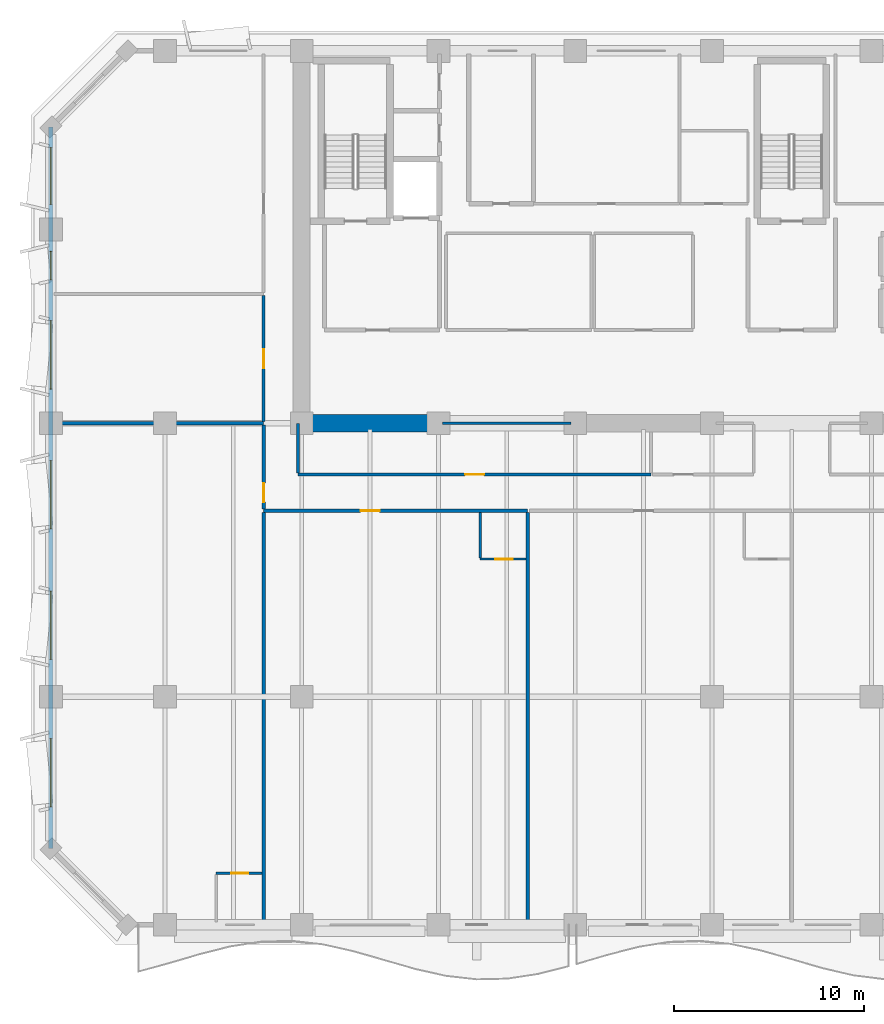
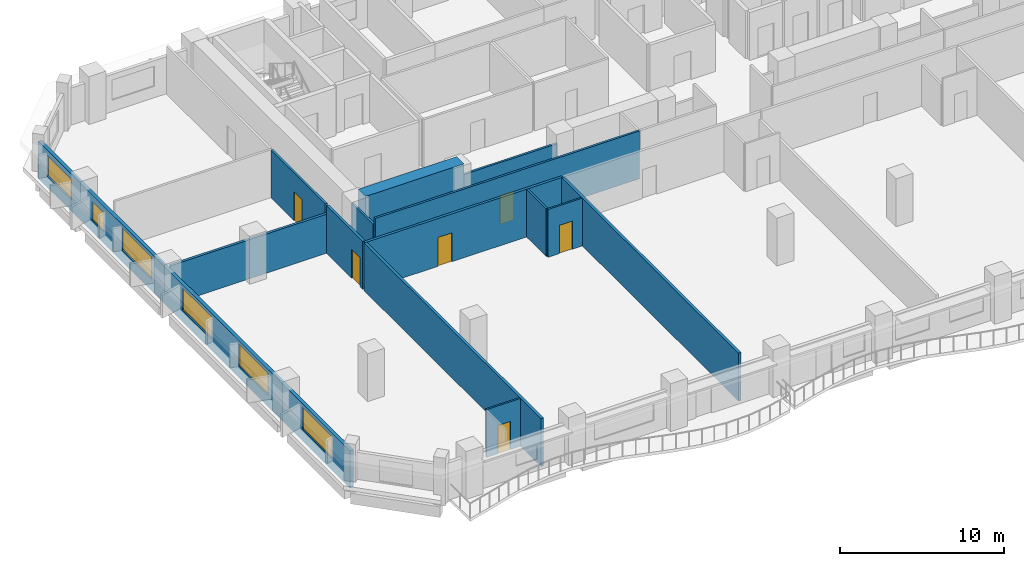
# One storey, part 4 of 14: 14 walls, 6 doors, 6 windows, 12 openings.
"""IFC4 building model written with IfcOpenShell, lengths in metres."""

from ifc_helpers import new_model, si_unit, direction, frame, frame_2d, origin, place, context, subcontext, project, spatial, rectangle, extrude, material, layer, layer_set, type_object, element, fill, save


model = new_model("IFC4")

# Units and contexts
model_context = context("Model", 3, precision=1e-05, world=origin(), true_north=direction((0.0, 1.0)))
body_context = subcontext(model_context, "Body", "Model", "MODEL_VIEW")
ifc_project = project(units=[si_unit("LENGTHUNIT", "METRE"), si_unit("AREAUNIT", "SQUARE_METRE"), si_unit("VOLUMEUNIT", "CUBIC_METRE"), si_unit("PLANEANGLEUNIT", "RADIAN"), si_unit("MASSUNIT", "GRAM", prefix="KILO")], contexts=[model_context])

# Site, building, storey
site_placement = place(None, origin())
site = spatial("IfcSite", under=ifc_project, at=site_placement, CompositionType="ELEMENT")
building_placement = place(site_placement, origin())
building = spatial("IfcBuilding", under=site, at=building_placement, Name="Kaelvorn Grand Hotel", CompositionType="ELEMENT")
storey_placement = place(building_placement, frame((0.0, 0.0, 216.75)))
storey = spatial("IfcBuildingStorey", under=building, at=storey_placement, Name="L53", CompositionType="ELEMENT", Elevation=216.75)

# Wall
ifc_material_1 = material(Name="Concrete C60/75", Category="concrete")
ifc_layer_1 = layer(ifc_material_1, 0.89990234375)
ifc_layer_set_1 = layer_set([ifc_layer_1], Name="Concrete C60/75")
wall_type_1 = type_object("IfcWallType", Name="WL-CORE-900-C60", PredefinedType="SHEAR", material=ifc_layer_set_1)
wall_1_placement = place(storey_placement, frame((16.655029296875, 29.39990234375, 0.0), z_axis=(0.0, 0.0, 1.0), x_axis=(1.0, 0.0, 0.0)))
element("IfcWall", 1, at=wall_1_placement, inside=storey, type_object=wall_type_1, Name="L53 Rear-Core Coupled Shear Pier S1", PredefinedType="SHEAR", context=body_context, shape_type="SweptSolid", body=[
    extrude(rectangle(XDim=6.945068359375, YDim=0.89990234375, at=frame_2d((3.47265625, 0.0))), origin(), (0.0, 0.0, 1.0), 3.56005859375),
])

# Wall, openings, windows
ifc_material_2 = material(Name="Concrete C40/50", Category="concrete")
ifc_layer_2 = layer(ifc_material_2, 0.239990234375)
ifc_layer_set_2 = layer_set([ifc_layer_2], Name="Concrete C40/50")
wall_type_2 = type_object("IfcWallType", Name="WL-EXT-240-C40", PredefinedType="SOLIDWALL", material=ifc_layer_set_2)
wall_2_placement = place(storey_placement, frame((3.0, 45.0, 0.0), z_axis=(0.0, 0.0, 1.0), x_axis=(0.0, -1.0, 0.0)))
wall_2 = element("IfcWall", 2, at=wall_2_placement, inside=storey, type_object=wall_type_2, Name="L53 Exterior Architectural Concrete Wall 07", PredefinedType="SOLIDWALL", context=body_context, shape_type="SweptSolid", body=[
    extrude(rectangle(XDim=38.0, YDim=0.239990234375, at=frame_2d((19.0, 0.0))), origin(), (0.0, 0.0, 1.0), 2.760009765625),
])
opening_1_placement = place(wall_2_placement, frame((32.199951171875, 0.0, 0.85009765625)))
opening_1 = element("IfcOpeningElement", 3, at=opening_1_placement, cuts=wall_2, Name="Opening W3", PredefinedType="OPENING", context=body_context, shape_type="SweptSolid", body=[
    extrude(rectangle(XDim=3.60009765625, YDim=1.64990234375, at=frame_2d((1.800048828125, 0.824951171875))), frame((0.0, 0.1298828125, 0.0), z_axis=(0.0, -1.0, 0.0), x_axis=(1.0, 0.0, 0.0)), (0.0, 0.0, 1.0), 0.260009765625),
])
opening_2_placement = place(wall_2_placement, frame((24.43505859375, 0.0, 0.85009765625)))
opening_2 = element("IfcOpeningElement", 4, at=opening_2_placement, cuts=wall_2, Name="Opening W3", PredefinedType="OPENING", context=body_context, shape_type="SweptSolid", body=[
    extrude(rectangle(XDim=3.60009765625, YDim=1.64990234375, at=frame_2d((1.800048828125, 0.824951171875))), frame((0.0, 0.1298828125, 0.0), z_axis=(0.0, -1.0, 0.0), x_axis=(1.0, 0.0, 0.0)), (0.0, 0.0, 1.0), 0.260009765625),
])
opening_3_placement = place(wall_2_placement, frame((17.56494140625, 0.0, 0.85009765625)))
opening_3 = element("IfcOpeningElement", 5, at=opening_3_placement, cuts=wall_2, Name="Opening W3", PredefinedType="OPENING", context=body_context, shape_type="SweptSolid", body=[
    extrude(rectangle(XDim=3.60009765625, YDim=1.64990234375, at=frame_2d((1.800048828125, 0.824951171875))), frame((0.0, 0.1298828125, 0.0), z_axis=(0.0, -1.0, 0.0), x_axis=(1.0, 0.0, 0.0)), (0.0, 0.0, 1.0), 0.260009765625),
])
opening_4_placement = place(wall_2_placement, frame((10.199951171875, 0.0, 0.85009765625)))
opening_4 = element("IfcOpeningElement", 6, at=opening_4_placement, cuts=wall_2, Name="Opening W3", PredefinedType="OPENING", context=body_context, shape_type="SweptSolid", body=[
    extrude(rectangle(XDim=3.60009765625, YDim=1.64990234375, at=frame_2d((1.800048828125, 0.824951171875))), frame((0.0, 0.1298828125, 0.0), z_axis=(0.0, -1.0, 0.0), x_axis=(1.0, 0.0, 0.0)), (0.0, 0.0, 1.0), 0.260009765625),
])
opening_5_placement = place(wall_2_placement, frame((6.550048828125, 0.0, 0.85009765625)))
opening_5 = element("IfcOpeningElement", 7, at=opening_5_placement, cuts=wall_2, Name="Opening W10", PredefinedType="OPENING", context=body_context, shape_type="SweptSolid", body=[
    extrude(rectangle(XDim=1.5, YDim=1.39990234375, at=frame_2d((0.75, 0.699951171875))), frame((0.0, 0.1298828125, 0.0), z_axis=(0.0, -1.0, 0.0), x_axis=(1.0, 0.0, 0.0)), (0.0, 0.0, 1.0), 0.260009765625),
])
opening_6_placement = place(wall_2_placement, frame((1.0849609375, 0.0, 0.85009765625)))
opening_6 = element("IfcOpeningElement", 8, at=opening_6_placement, cuts=wall_2, Name="Opening W5", PredefinedType="OPENING", context=body_context, shape_type="SweptSolid", body=[
    extrude(rectangle(XDim=3.0, YDim=1.5, at=frame_2d((1.5, 0.75))), frame((0.0, 0.1298828125, 0.0), z_axis=(0.0, -1.0, 0.0), x_axis=(1.0, 0.0, 0.0)), (0.0, 0.0, 1.0), 0.260009765625),
])
ifc_material_3 = material(Name="Laminated Low-E Glass", Category="glass")
window_type_1 = type_object("IfcWindowType", Name="WIN-COR-1500x1400", PartitioningType="SINGLE_PANEL", PredefinedType="WINDOW", material=ifc_material_3)
window_1_placement = place(opening_5_placement, origin())
window_1 = element("IfcWindow", 9, at=window_1_placement, inside=storey, type_object=window_type_1, Name="L53 W Wing Tilted-Frame Ribbon Window W05", OverallHeight=1.39990234375, OverallWidth=1.5, PartitioningType="SINGLE_PANEL", PredefinedType="WINDOW", context=body_context, shape_type="SweptSolid", body=[
    extrude(rectangle(XDim=1.5, YDim=1.39990234375, at=frame_2d((0.75, 0.699951171875))), frame((0.0, 0.030029296875, 0.0), z_axis=(0.0, -1.0, 0.0), x_axis=(1.0, 0.0, 0.0)), (0.0, 0.0, 1.0), 0.06005859375),
])
fill(opening_5, window_1)
window_type_2 = type_object("IfcWindowType", Name="WIN-NTH-3000x1500", PartitioningType="SINGLE_PANEL", PredefinedType="WINDOW", material=ifc_material_3)
window_2_placement = place(opening_6_placement, origin())
window_2 = element("IfcWindow", 10, at=window_2_placement, inside=storey, type_object=window_type_2, Name="L53 W Wing Tilted-Frame Ribbon Window W06", OverallHeight=1.5, OverallWidth=3.0, PartitioningType="SINGLE_PANEL", PredefinedType="WINDOW", context=body_context, shape_type="SweptSolid", body=[
    extrude(rectangle(XDim=3.0, YDim=1.5, at=frame_2d((1.5, 0.75))), frame((0.0, 0.030029296875, 0.0), z_axis=(0.0, -1.0, 0.0), x_axis=(1.0, 0.0, 0.0)), (0.0, 0.0, 1.0), 0.06005859375),
])
fill(opening_6, window_2)
window_type_3 = type_object("IfcWindowType", Name="WIN-RIB-3600x1750", PartitioningType="SINGLE_PANEL", PredefinedType="WINDOW", material=ifc_material_3)
window_3_placement = place(opening_1_placement, origin())
window_3 = element("IfcWindow", 11, at=window_3_placement, inside=storey, type_object=window_type_3, Name="L53 W Wing Tilted-Frame Ribbon Window W01", OverallHeight=1.64990234375, OverallWidth=3.60009765625, PartitioningType="SINGLE_PANEL", PredefinedType="WINDOW", context=body_context, shape_type="SweptSolid", body=[
    extrude(rectangle(XDim=3.60009765625, YDim=1.64990234375, at=frame_2d((1.800048828125, 0.824951171875))), frame((0.0, 0.030029296875, 0.0), z_axis=(0.0, -1.0, 0.0), x_axis=(1.0, 0.0, 0.0)), (0.0, 0.0, 1.0), 0.06005859375),
])
fill(opening_1, window_3)
window_4_placement = place(opening_2_placement, origin())
window_4 = element("IfcWindow", 12, at=window_4_placement, inside=storey, type_object=window_type_3, Name="L53 W Wing Tilted-Frame Ribbon Window W02", OverallHeight=1.64990234375, OverallWidth=3.60009765625, PartitioningType="SINGLE_PANEL", PredefinedType="WINDOW", context=body_context, shape_type="SweptSolid", body=[
    extrude(rectangle(XDim=3.60009765625, YDim=1.64990234375, at=frame_2d((1.800048828125, 0.824951171875))), frame((0.0, 0.030029296875, 0.0), z_axis=(0.0, -1.0, 0.0), x_axis=(1.0, 0.0, 0.0)), (0.0, 0.0, 1.0), 0.06005859375),
])
fill(opening_2, window_4)
window_5_placement = place(opening_3_placement, origin())
window_5 = element("IfcWindow", 13, at=window_5_placement, inside=storey, type_object=window_type_3, Name="L53 W Wing Tilted-Frame Ribbon Window W03", OverallHeight=1.64990234375, OverallWidth=3.60009765625, PartitioningType="SINGLE_PANEL", PredefinedType="WINDOW", context=body_context, shape_type="SweptSolid", body=[
    extrude(rectangle(XDim=3.60009765625, YDim=1.64990234375, at=frame_2d((1.800048828125, 0.824951171875))), frame((0.0, 0.030029296875, 0.0), z_axis=(0.0, -1.0, 0.0), x_axis=(1.0, 0.0, 0.0)), (0.0, 0.0, 1.0), 0.06005859375),
])
fill(opening_3, window_5)
window_6_placement = place(opening_4_placement, origin())
window_6 = element("IfcWindow", 14, at=window_6_placement, inside=storey, type_object=window_type_3, Name="L53 W Wing Tilted-Frame Ribbon Window W04", OverallHeight=1.64990234375, OverallWidth=3.60009765625, PartitioningType="SINGLE_PANEL", PredefinedType="WINDOW", context=body_context, shape_type="SweptSolid", body=[
    extrude(rectangle(XDim=3.60009765625, YDim=1.64990234375, at=frame_2d((1.800048828125, 0.824951171875))), frame((0.0, 0.030029296875, 0.0), z_axis=(0.0, -1.0, 0.0), x_axis=(1.0, 0.0, 0.0)), (0.0, 0.0, 1.0), 0.06005859375),
])
fill(opening_4, window_6)

# Wall, opening, door
ifc_material_4 = material(Name="Moisture-Resistant Tile & Stud Board")
ifc_layer_3 = layer(ifc_material_4, 0.125)
ifc_layer_set_3 = layer_set([ifc_layer_3], Name="Moisture-Resistant Tile & Stud Board")
wall_type_3 = type_object("IfcWallType", Name="WL-PART-125-WET", PredefinedType="PARTITIONING", material=ifc_layer_set_3)
wall_3_placement = place(storey_placement, frame((25.60009765625, 22.25, 0.0), z_axis=(0.0, 0.0, 1.0), x_axis=(1.0, 0.0, 0.0)))
wall_3 = element("IfcWall", 15, at=wall_3_placement, inside=storey, type_object=wall_type_3, Name="L53 En-suite Bathroom L53-01 S Partition", PredefinedType="PARTITIONING", context=body_context, shape_type="SweptSolid", body=[
    extrude(rectangle(XDim=2.40478515625, YDim=0.125, at=frame_2d((1.202392578125, 0.0))), origin(), (0.0, 0.0, 1.0), 3.56005859375),
])
opening_7_placement = place(wall_3_placement, frame((0.800048828125, 0.0, 0.0)))
opening_7 = element("IfcOpeningElement", 16, at=opening_7_placement, cuts=wall_3, Name="Opening DI4", PredefinedType="OPENING", context=body_context, shape_type="SweptSolid", body=[
    extrude(rectangle(XDim=0.89990234375, YDim=2.10009765625, at=frame_2d((0.449951171875, 1.050048828125))), frame((0.0, 0.072509765625, 0.0), z_axis=(0.0, -1.0, 0.0), x_axis=(1.0, 0.0, 0.0)), (0.0, 0.0, 1.0), 0.14501953125),
])
ifc_material_5 = material(Name="Timber Veneer Leaf", Category="wood")
door_type_1 = type_object("IfcDoorType", Name="DR-INT-BATH-900x2100", OperationType="NOTDEFINED", PredefinedType="DOOR", material=ifc_material_5)
door_1_placement = place(opening_7_placement, origin())
door_1 = element("IfcDoor", 17, at=door_1_placement, inside=storey, type_object=door_type_1, Name="L53 En-suite Bathroom L53-01 Door", OperationType="SINGLE_SWING_LEFT", OverallHeight=2.10009765625, OverallWidth=0.89990234375, PredefinedType="DOOR", context=body_context, shape_type="SweptSolid", body=[
    extrude(rectangle(XDim=0.89990234375, YDim=2.10009765625, at=frame_2d((0.449951171875, 1.050048828125))), frame((0.0, 0.02490234375, 0.0), z_axis=(0.0, -1.0, 0.0), x_axis=(1.0, 0.0, 0.0)), (0.0, 0.0, 1.0), 0.050048828125),
])
fill(opening_7, door_1)

# Wall
wall_4_placement = place(storey_placement, frame((25.60009765625, 22.3173828125, 0.0), z_axis=(0.0, 0.0, 1.0), x_axis=(0.0, 1.0, 0.0)))
element("IfcWall", 18, at=wall_4_placement, inside=storey, type_object=wall_type_3, Name="L53 En-suite Bathroom L53-01 W Partition", PredefinedType="PARTITIONING", context=body_context, shape_type="SweptSolid", body=[
    extrude(rectangle(XDim=2.3876953125, YDim=0.125, at=frame_2d((1.19384765625, 0.0))), origin(), (0.0, 0.0, 1.0), 3.56005859375),
])

# Wall, opening, door
wall_5_placement = place(storey_placement, frame((11.699951171875, 5.699951171875, 0.0), z_axis=(0.0, 0.0, 1.0), x_axis=(1.0, 0.0, 0.0)))
wall_5 = element("IfcWall", 19, at=wall_5_placement, inside=storey, type_object=wall_type_3, Name="L53 En-suite Bathroom L53-05 N Partition", PredefinedType="PARTITIONING", context=body_context, shape_type="SweptSolid", body=[
    extrude(rectangle(XDim=2.405029296875, YDim=0.125, at=frame_2d((1.20263671875, 0.0))), origin(), (0.0, 0.0, 1.0), 3.56005859375),
])
opening_8_placement = place(wall_5_placement, frame((0.800048828125, 0.0, 0.0)))
opening_8 = element("IfcOpeningElement", 20, at=opening_8_placement, cuts=wall_5, Name="Opening DI4", PredefinedType="OPENING", context=body_context, shape_type="SweptSolid", body=[
    extrude(rectangle(XDim=0.89990234375, YDim=2.10009765625, at=frame_2d((0.449951171875, 1.050048828125))), frame((0.0, 0.072509765625, 0.0), z_axis=(0.0, -1.0, 0.0), x_axis=(1.0, 0.0, 0.0)), (0.0, 0.0, 1.0), 0.14501953125),
])
door_2_placement = place(opening_8_placement, origin())
door_2 = element("IfcDoor", 21, at=door_2_placement, inside=storey, type_object=door_type_1, Name="L53 En-suite Bathroom L53-05 Door", OperationType="SINGLE_SWING_LEFT", OverallHeight=2.10009765625, OverallWidth=0.89990234375, PredefinedType="DOOR", context=body_context, shape_type="SweptSolid", body=[
    extrude(rectangle(XDim=0.89990234375, YDim=2.10009765625, at=frame_2d((0.449951171875, 1.050048828125))), frame((0.0, 0.02490234375, 0.0), z_axis=(0.0, -1.0, 0.0), x_axis=(1.0, 0.0, 0.0)), (0.0, 0.0, 1.0), 0.050048828125),
])
fill(opening_8, door_2)

ifc_material_6 = material(Name="Acoustic Gypsum & Stud Partition")
ifc_layer_4 = layer(ifc_material_6, 0.14990234375)
ifc_layer_set_4 = layer_set([ifc_layer_4], Name="Acoustic Gypsum & Stud Partition")
wall_type_4 = type_object("IfcWallType", Name="WL-PART-150-EI60", PredefinedType="PARTITIONING", material=ifc_layer_set_4)
wall_6_placement = place(storey_placement, frame((16.0, 26.699951171875, 0.0), z_axis=(0.0, 0.0, 1.0), x_axis=(1.0, 0.0, 0.0)))
wall_6 = element("IfcWall", 22, at=wall_6_placement, inside=storey, type_object=wall_type_4, Name="L53 Botanical Conservatory Salon S Partition", PredefinedType="PARTITIONING", context=body_context, shape_type="SweptSolid", body=[
    extrude(rectangle(XDim=18.60009765625, YDim=0.14990234375, at=frame_2d((9.300048828125, 0.0))), origin(), (0.0, 0.0, 1.0), 3.56005859375),
])
opening_9_placement = place(wall_6_placement, frame((8.800048828125, 0.0, 0.0)))
opening_9 = element("IfcOpeningElement", 23, at=opening_9_placement, cuts=wall_6, Name="Opening DI3", PredefinedType="OPENING", context=body_context, shape_type="SweptSolid", body=[
    extrude(rectangle(XDim=1.0, YDim=2.14990234375, at=frame_2d((0.5, 1.074951171875))), frame((0.0, 0.0849609375, 0.0), z_axis=(0.0, -1.0, 0.0), x_axis=(1.0, 0.0, 0.0)), (0.0, 0.0, 1.0), 0.169921875),
])
ifc_material_7 = material(Name="Timber Veneer Fire Leaf", Category="wood")
door_type_2 = type_object("IfcDoorType", Name="DR-INT-GUEST-1000x2150", OperationType="NOTDEFINED", PredefinedType="DOOR", material=ifc_material_7)
door_3_placement = place(opening_9_placement, origin())
door_3 = element("IfcDoor", 24, at=door_3_placement, inside=storey, type_object=door_type_2, Name="L53 Botanical Conservatory Salon Door", OperationType="SINGLE_SWING_RIGHT", OverallHeight=2.14990234375, OverallWidth=1.0, PredefinedType="DOOR", context=body_context, shape_type="SweptSolid", body=[
    extrude(rectangle(XDim=1.0, YDim=2.14990234375, at=frame_2d((0.5, 1.074951171875))), frame((0.0, 0.02490234375, 0.0), z_axis=(0.0, -1.0, 0.0), x_axis=(1.0, 0.0, 0.0)), (0.0, 0.0, 1.0), 0.050048828125),
])
fill(opening_9, door_3)

# Walls
wall_7_placement = place(storey_placement, frame((23.610107421875, 29.39990234375, 0.0), z_axis=(0.0, 0.0, 1.0), x_axis=(1.0, 0.0, 0.0)))
element("IfcWall", 25, at=wall_7_placement, inside=storey, type_object=wall_type_4, Name="L53 Botanical Conservatory Salon N Partition", PredefinedType="PARTITIONING", context=body_context, shape_type="SweptSolid", body=[
    extrude(rectangle(XDim=6.77978515625, YDim=0.14990234375, at=frame_2d((3.389892578125, 0.0))), origin(), (0.0, 0.0, 1.0), 2.4599609375),
])
wall_8_placement = place(storey_placement, frame((16.0, 26.780029296875, 0.0), z_axis=(0.0, 0.0, 1.0), x_axis=(0.0, 1.0, 0.0)))
element("IfcWall", 26, at=wall_8_placement, inside=storey, type_object=wall_type_4, Name="L53 Botanical Conservatory Salon W Partition", PredefinedType="PARTITIONING", context=body_context, shape_type="SweptSolid", body=[
    extrude(rectangle(XDim=2.60986328125, YDim=0.14990234375, at=frame_2d((1.304931640625, 0.0))), origin(), (0.0, 0.0, 1.0), 3.06005859375),
])

# Wall, opening, door
wall_9_placement = place(storey_placement, frame((14.199951171875, 29.4951171875, 0.0), z_axis=(0.0, 0.0, 1.0), x_axis=(0.0, 1.0, 0.0)))
wall_9 = element("IfcWall", 27, at=wall_9_placement, inside=storey, type_object=wall_type_4, Name="L53 North-West Botanical Conservatory Salon E Partition", PredefinedType="PARTITIONING", context=body_context, shape_type="SweptSolid", body=[
    extrude(rectangle(XDim=6.625, YDim=0.14990234375, at=frame_2d((3.3125, 0.0))), origin(), (0.0, 0.0, 1.0), 3.56005859375),
])
opening_10_placement = place(wall_9_placement, frame((2.804931640625, 0.0, 0.0)))
opening_10 = element("IfcOpeningElement", 28, at=opening_10_placement, cuts=wall_9, Name="Opening DI3", PredefinedType="OPENING", context=body_context, shape_type="SweptSolid", body=[
    extrude(rectangle(XDim=1.0, YDim=2.14990234375, at=frame_2d((0.5, 1.074951171875))), frame((0.0, 0.0849609375, 0.0), z_axis=(0.0, -1.0, 0.0), x_axis=(1.0, 0.0, 0.0)), (0.0, 0.0, 1.0), 0.169921875),
])
door_4_placement = place(opening_10_placement, origin())
door_4 = element("IfcDoor", 29, at=door_4_placement, inside=storey, type_object=door_type_2, Name="L53 North-West Botanical Conservatory Salon Door", OperationType="SINGLE_SWING_RIGHT", OverallHeight=2.14990234375, OverallWidth=1.0, PredefinedType="DOOR", context=body_context, shape_type="SweptSolid", body=[
    extrude(rectangle(XDim=1.0, YDim=2.14990234375, at=frame_2d((0.5, 1.074951171875))), frame((0.0, 0.02490234375, 0.0), z_axis=(0.0, -1.0, 0.0), x_axis=(1.0, 0.0, 0.0)), (0.0, 0.0, 1.0), 0.050048828125),
])
fill(opening_10, door_4)

ifc_layer_5 = layer(ifc_material_6, 0.179931640625)
ifc_layer_set_5 = layer_set([ifc_layer_5], Name="Acoustic Gypsum & Stud Partition")
wall_type_5 = type_object("IfcWallType", Name="WL-PART-180-EI60", PredefinedType="PARTITIONING", material=ifc_layer_set_5)
wall_10_placement = place(storey_placement, frame((14.199951171875, 24.800048828125, 0.0), z_axis=(0.0, 0.0, 1.0), x_axis=(1.0, 0.0, 0.0)))
wall_10 = element("IfcWall", 30, at=wall_10_placement, inside=storey, type_object=wall_type_5, Name="L53 Presidential Sky Suite L53-01 N Partition", PredefinedType="PARTITIONING", context=body_context, shape_type="SweptSolid", body=[
    extrude(rectangle(XDim=13.900146484375, YDim=0.179931640625, at=frame_2d((6.9501953125, 0.0))), origin(), (0.0, 0.0, 1.0), 3.56005859375),
])
opening_11_placement = place(wall_10_placement, frame((5.10009765625, 0.0, 0.0)))
opening_11 = element("IfcOpeningElement", 31, at=opening_11_placement, cuts=wall_10, Name="Opening DI3", PredefinedType="OPENING", context=body_context, shape_type="SweptSolid", body=[
    extrude(rectangle(XDim=1.0, YDim=2.14990234375, at=frame_2d((0.5, 1.074951171875))), frame((0.0, 0.10009765625, 0.0), z_axis=(0.0, -1.0, 0.0), x_axis=(1.0, 0.0, 0.0)), (0.0, 0.0, 1.0), 0.199951171875),
])
door_5_placement = place(opening_11_placement, origin())
door_5 = element("IfcDoor", 32, at=door_5_placement, inside=storey, type_object=door_type_2, Name="L53 Presidential Sky Suite L53-01 Door", OperationType="SINGLE_SWING_RIGHT", OverallHeight=2.14990234375, OverallWidth=1.0, PredefinedType="DOOR", context=body_context, shape_type="SweptSolid", body=[
    extrude(rectangle(XDim=1.0, YDim=2.14990234375, at=frame_2d((0.5, 1.074951171875))), frame((0.0, 0.02490234375, 0.0), z_axis=(0.0, -1.0, 0.0), x_axis=(1.0, 0.0, 0.0)), (0.0, 0.0, 1.0), 0.050048828125),
])
fill(opening_11, door_5)

# Walls
for number, where, z_axis, x_axis, name in (
    (33, (14.199951171875, 3.14990234375, 0.0), (0.0, 0.0, 1.0), (0.0, 1.0, 0.0), "L53 Presidential Sky Suite L53-01 W Partition"),
    (34, (28.10009765625, 3.14990234375, 0.0), (0.0, 0.0, 1.0), (0.0, 1.0, 0.0), "L53 Presidential Sky Suite L53-01 E Partition"),
):
    element("IfcWall", number, at=place(storey_placement, frame(where, z_axis=z_axis, x_axis=x_axis)), inside=storey, type_object=wall_type_5, Name=name, PredefinedType="PARTITIONING", context=body_context, shape_type="SweptSolid", body=[
        extrude(rectangle(XDim=21.55517578125, YDim=0.179931640625, at=frame_2d((10.777587890625, 0.0))), origin(), (0.0, 0.0, 1.0), 3.56005859375),
    ])
wall_11_placement = place(storey_placement, frame((3.14990234375, 29.39990234375, 0.0), z_axis=(0.0, 0.0, 1.0), x_axis=(1.0, 0.0, 0.0)))
element("IfcWall", 35, at=wall_11_placement, inside=storey, type_object=wall_type_5, Name="L53 Presidential Sky Suite L53-05 N Partition", PredefinedType="PARTITIONING", context=body_context, shape_type="SweptSolid", body=[
    extrude(rectangle(XDim=11.050048828125, YDim=0.179931640625, at=frame_2d((5.52490234375, 0.0))), origin(), (0.0, 0.0, 1.0), 2.909912109375),
])

# Wall, opening, door
wall_12_placement = place(storey_placement, frame((14.199951171875, 24.89501953125, 0.0), z_axis=(0.0, 0.0, 1.0), x_axis=(0.0, 1.0, 0.0)))
wall_12 = element("IfcWall", 36, at=wall_12_placement, inside=storey, type_object=wall_type_5, Name="L53 Presidential Sky Suite L53-05 E Partition", PredefinedType="PARTITIONING", context=body_context, shape_type="SweptSolid", body=[
    extrude(rectangle(XDim=4.409912109375, YDim=0.179931640625, at=frame_2d((2.205078125, 0.0))), origin(), (0.0, 0.0, 1.0), 3.56005859375),
])
opening_12_placement = place(wall_12_placement, frame((0.35498046875, 0.0, 0.0)))
opening_12 = element("IfcOpeningElement", 37, at=opening_12_placement, cuts=wall_12, Name="Opening DI3", PredefinedType="OPENING", context=body_context, shape_type="SweptSolid", body=[
    extrude(rectangle(XDim=1.0, YDim=2.14990234375, at=frame_2d((0.5, 1.074951171875))), frame((0.0, 0.10009765625, 0.0), z_axis=(0.0, -1.0, 0.0), x_axis=(1.0, 0.0, 0.0)), (0.0, 0.0, 1.0), 0.199951171875),
])
door_6_placement = place(opening_12_placement, origin())
door_6 = element("IfcDoor", 38, at=door_6_placement, inside=storey, type_object=door_type_2, Name="L53 Presidential Sky Suite L53-05 Door", OperationType="SINGLE_SWING_RIGHT", OverallHeight=2.14990234375, OverallWidth=1.0, PredefinedType="DOOR", context=body_context, shape_type="SweptSolid", body=[
    extrude(rectangle(XDim=1.0, YDim=2.14990234375, at=frame_2d((0.5, 1.074951171875))), frame((0.0, 0.02490234375, 0.0), z_axis=(0.0, -1.0, 0.0), x_axis=(1.0, 0.0, 0.0)), (0.0, 0.0, 1.0), 0.050048828125),
])
fill(opening_12, door_6)

save(model, "model.ifc")
